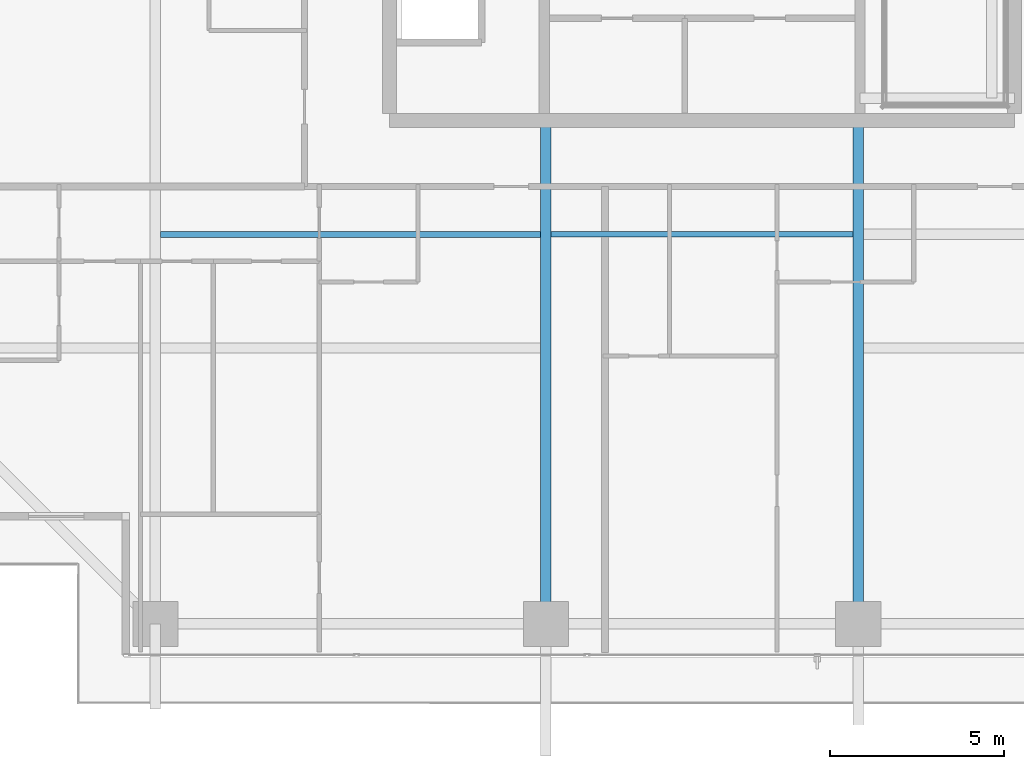
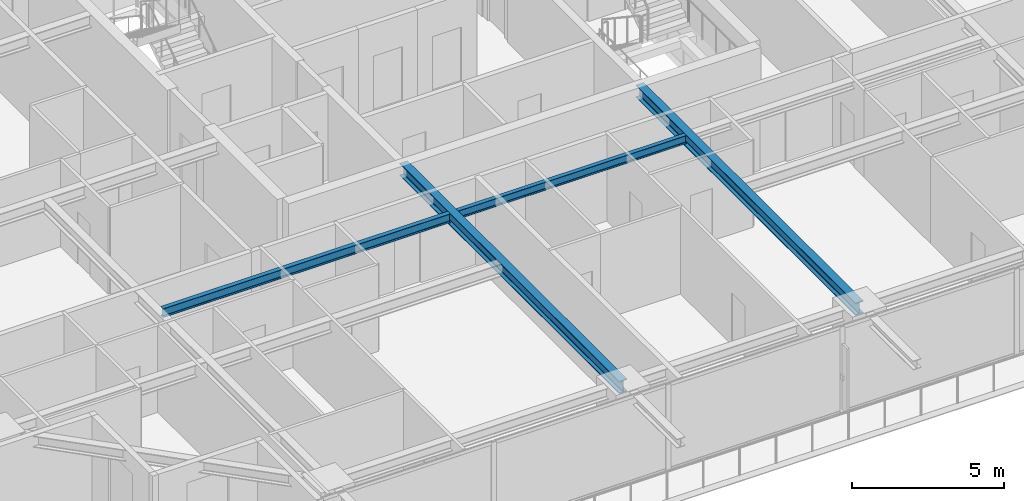
# One storey, part 7 of 39: 4 beams.
"""IFC4 building model written with IfcOpenShell, lengths in metres."""

from ifc_helpers import new_model, si_unit, direction, frame, origin, origin_2d, place, context, subcontext, project, spatial, i_section, extrude, source, transform, mapped, material, material_profile, profile_set, type_object, element, save


model = new_model("IFC4")

# Units and contexts
model_context = context("Model", 3, precision=1e-05, world=origin(), true_north=direction((0.0, 1.0)))
body_context = subcontext(model_context, "Body", "Model", "MODEL_VIEW")
ifc_project = project(units=[si_unit("LENGTHUNIT", "METRE"), si_unit("AREAUNIT", "SQUARE_METRE"), si_unit("VOLUMEUNIT", "CUBIC_METRE"), si_unit("PLANEANGLEUNIT", "RADIAN"), si_unit("MASSUNIT", "GRAM", prefix="KILO")], contexts=[model_context])

# Site, building, storey
site_placement = place(None, origin())
site = spatial("IfcSite", under=ifc_project, at=site_placement, CompositionType="ELEMENT")
building_placement = place(site_placement, origin())
building = spatial("IfcBuilding", under=site, at=building_placement, Name="Serunith Strait Residences", CompositionType="ELEMENT")
storey_placement = place(building_placement, frame((0.0, 0.0, 168.89990234375)))
storey = spatial("IfcBuildingStorey", under=building, at=storey_placement, Name="L42", CompositionType="ELEMENT", Elevation=168.89990234375)

# Beams
ifc_material = material(Name="Steel S355J2", Category="steel")
ifc_material_profile_1 = material_profile(ifc_material, i_section(OverallWidth=0.159912109375, OverallDepth=0.330078125, WebThickness=0.007568359375, FlangeThickness=0.011474609375, FilletRadius=0.01806640625, at=origin_2d()), Name="IPE 330")
ifc_profile_set_1 = profile_set([ifc_material_profile_1], Name="Steel S355J2")
beam_type_1 = type_object("IfcBeamType", Name="BM-IPE330", PredefinedType="JOIST", material=ifc_profile_set_1)
shared_shape_1 = source(origin(), body_context, "Body", "SweptSolid", [
    extrude(i_section(OverallWidth=0.159912109375, OverallDepth=0.330078125, WebThickness=0.007568359375, FlangeThickness=0.011474609375, FilletRadius=0.01806640625, at=origin_2d()), origin(), (0.0, 0.0, 1.0), 8.699951171875),
])
beam_1_placement = place(storey_placement, frame((28.050048828125, 13.52490234375, 3.322021484375), z_axis=(1.0, 0.0, 0.0), x_axis=(0.0, 1.0, 0.0)))
element("IfcBeam", 1, at=beam_1_placement, inside=storey, type_object=beam_type_1, Name="L42 Composite Floor Joist 02", PredefinedType="JOIST", context=body_context, shape_type="MappedRepresentation", body=[
    mapped(shared_shape_1, transform((0.0, 0.0, 0.0), scale=1.0)),
])
ifc_material_profile_2 = material_profile(ifc_material, i_section(OverallWidth=0.300048828125, OverallDepth=0.5, WebThickness=0.014404296875, FlangeThickness=0.028076171875, FilletRadius=0.027099609375, at=origin_2d()), Name="HEB 500")
ifc_profile_set_2 = profile_set([ifc_material_profile_2], Name="Steel S355J2")
beam_type_2 = type_object("IfcBeamType", Name="BM-HEB500", PredefinedType="BEAM", material=ifc_profile_set_2)
shared_shape_2 = source(origin(), body_context, "Body", "SweptSolid", [
    extrude(i_section(OverallWidth=0.300048828125, OverallDepth=0.5, WebThickness=0.014404296875, FlangeThickness=0.028076171875, FilletRadius=0.027099609375, at=origin_2d()), origin(), (0.0, 0.0, 1.0), 14.5),
])
for number, where, z_axis, x_axis, name in (
    (2, (27.89990234375, 16.800048828125, 3.237060546875), (0.0, -1.0, 0.0), (1.0, 0.0, 0.0), "L42 Primary Floor Girder TC-S2"),
    (3, (36.89990234375, 16.800048828125, 3.237060546875), (0.0, -1.0, 0.0), (1.0, 0.0, 0.0), "L42 Primary Floor Girder TC-S3"),
):
    element("IfcBeam", number, at=place(storey_placement, frame(where, z_axis=z_axis, x_axis=x_axis)), inside=storey, type_object=beam_type_2, Name=name, PredefinedType="BEAM", context=body_context, shape_type="MappedRepresentation", body=[
        mapped(shared_shape_2, transform((0.0, 0.0, 0.0), scale=1.0)),
    ])
ifc_material_profile_3 = material_profile(ifc_material, i_section(OverallWidth=0.169921875, OverallDepth=0.360107421875, WebThickness=0.008056640625, FlangeThickness=0.0126953125, FilletRadius=0.01806640625, at=origin_2d()), Name="IPE 360")
ifc_profile_set_3 = profile_set([ifc_material_profile_3], Name="Steel S355J2")
beam_type_3 = type_object("IfcBeamType", Name="BM-IPE360", PredefinedType="JOIST", material=ifc_profile_set_3)
shared_shape_3 = source(origin(), body_context, "Body", "SweptSolid", [
    extrude(i_section(OverallWidth=0.169921875, OverallDepth=0.360107421875, WebThickness=0.008056640625, FlangeThickness=0.0126953125, FilletRadius=0.01806640625, at=origin_2d()), origin(), (0.0, 0.0, 1.0), 10.949951171875),
])
beam_2_placement = place(storey_placement, frame((16.800048828125, 13.52490234375, 3.30712890625), z_axis=(1.0, 0.0, 0.0), x_axis=(0.0, 1.0, 0.0)))
element("IfcBeam", 4, at=beam_2_placement, inside=storey, type_object=beam_type_3, Name="L42 Composite Floor Joist 01", PredefinedType="JOIST", context=body_context, shape_type="MappedRepresentation", body=[
    mapped(shared_shape_3, transform((0.0, 0.0, 0.0), scale=1.0)),
])

save(model, "model.ifc")
